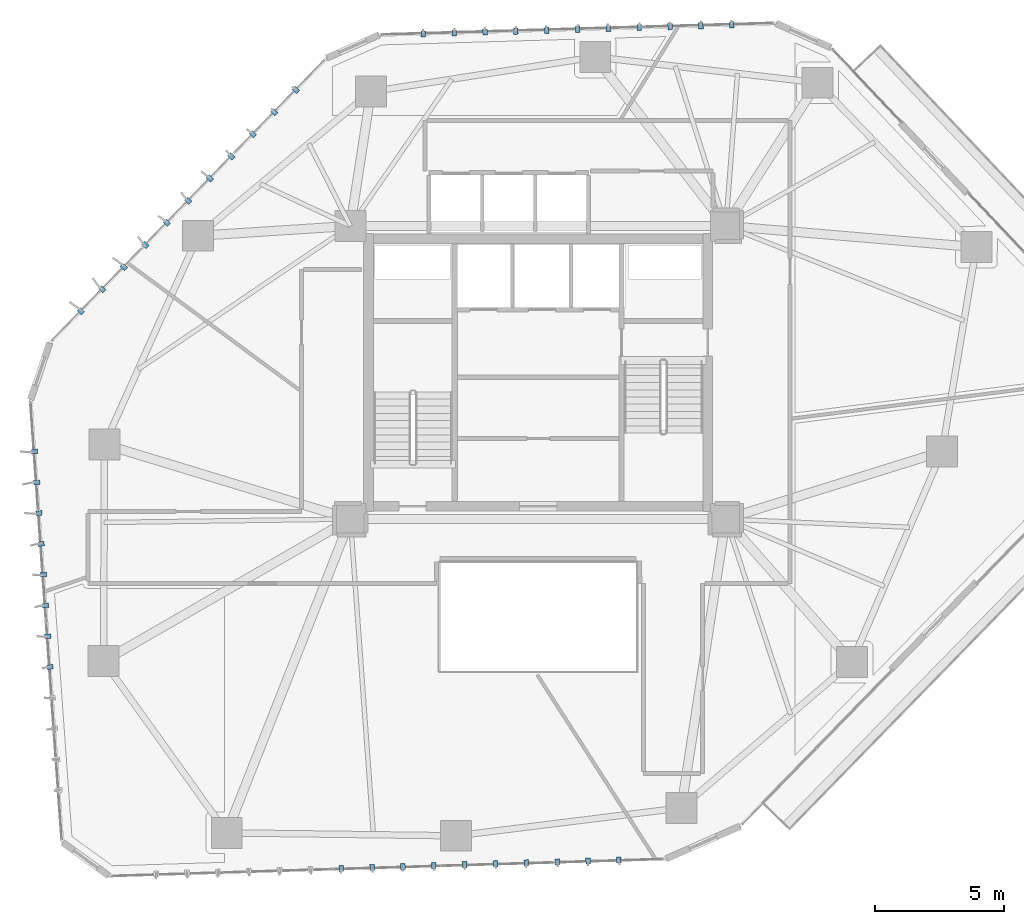
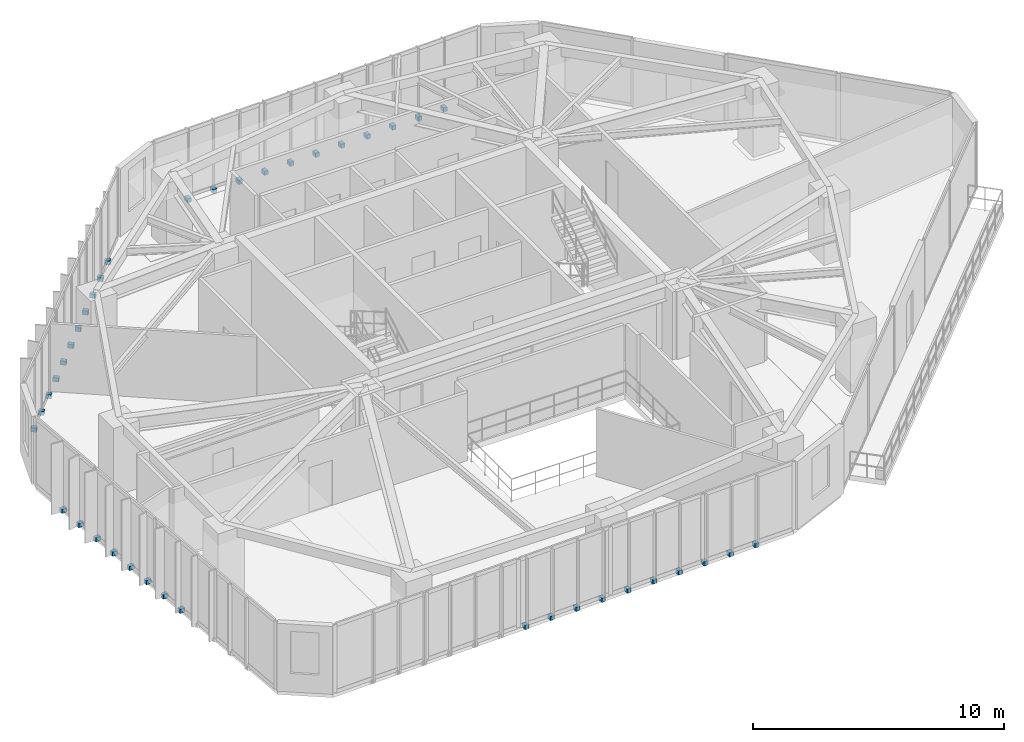
# One storey, part 20 of 23: 40 discrete accessories.
"""IFC4 building model written with IfcOpenShell, lengths in metres."""

from ifc_helpers import new_model, si_unit, direction, frame, origin, origin_2d, place, context, subcontext, project, spatial, rectangle, extrude, source, transform, mapped, material, type_object, type_shapes, element, save


model = new_model("IFC4")

# Units and contexts
model_context = context("Model", 3, precision=1e-05, world=origin(), true_north=direction((0.0, 1.0)))
body_context = subcontext(model_context, "Body", "Model", "MODEL_VIEW")
ifc_project = project(units=[si_unit("LENGTHUNIT", "METRE"), si_unit("AREAUNIT", "SQUARE_METRE"), si_unit("VOLUMEUNIT", "CUBIC_METRE"), si_unit("PLANEANGLEUNIT", "RADIAN"), si_unit("MASSUNIT", "GRAM", prefix="KILO")], contexts=[model_context])

# Site, building, storey
site_placement = place(None, origin())
site = spatial("IfcSite", under=ifc_project, at=site_placement, CompositionType="ELEMENT")
building_placement = place(site_placement, origin())
building = spatial("IfcBuilding", under=site, at=building_placement, Name="Talar Marvaseh", CompositionType="ELEMENT")
storey_placement = place(building_placement, frame((0.0, 0.0, 96.60009765625)))
storey = spatial("IfcBuildingStorey", under=building, at=storey_placement, Name="L24", CompositionType="ELEMENT", Elevation=96.60009765625)

# Discrete accessories
ifc_material = material(Name="Stainless Steel Grade 316", Category="steel")
discrete_accessory_type = type_object("IfcDiscreteAccessoryType", Name="Stainless Slab-Edge Fin Mounting Bracket", PredefinedType="BRACKET", material=ifc_material)
shared_shape = source(origin(), body_context, "Body", "SweptSolid", [
    extrude(rectangle(XDim=0.239990234375, YDim=0.179931640625, at=origin_2d()), origin(), (0.0, 0.0, 1.0), 0.199951171875),
])
type_shapes(discrete_accessory_type, [shared_shape])
for number, where, z_axis, x_axis, name in (
    (1, (7.017822265625, 19.74755859375, -0.18017578125), (0.0, 0.0, 1.0), (-0.997440782931, -0.071497444333, 0.0), "L24 Vertical Fin Slab-Edge Bracket"),
    (2, (6.93212890625, 20.9443359375, -0.18017578125), (0.0, 0.0, 1.0), (-0.997440782931, -0.071497444333, 0.0), "L24 Vertical Fin Slab-Edge Bracket"),
    (3, (6.84619140625, 22.141357421875, -0.18017578125), (0.0, 0.0, 1.0), (-0.997440782931, -0.071497444333, 0.0), "L24 Vertical Fin Slab-Edge Bracket"),
    (4, (6.760498046875, 23.33837890625, -0.18017578125), (0.0, 0.0, 1.0), (-0.997440782931, -0.071497444333, 0.0), "L24 Vertical Fin Slab-Edge Bracket"),
    (5, (6.6748046875, 24.53515625, -0.18017578125), (0.0, 0.0, 1.0), (-0.997440782931, -0.071497444333, 0.0), "L24 Vertical Fin Slab-Edge Bracket"),
    (6, (6.589111328125, 25.732177734375, -0.18017578125), (0.0, 0.0, 1.0), (-0.997440782931, -0.071497444333, 0.0), "L24 Vertical Fin Slab-Edge Bracket"),
    (7, (6.50341796875, 26.92919921875, -0.18017578125), (0.0, 0.0, 1.0), (-0.997440782931, -0.071497444333, 0.0), "L24 Vertical Fin Slab-Edge Bracket"),
    (8, (6.417724609375, 28.1259765625, -0.18017578125), (0.0, 0.0, 1.0), (-0.997440782931, -0.071497444333, 0.0), "L24 Vertical Fin Slab-Edge Bracket"),
    (9, (8.21533203125, 33.581298828125, -0.18017578125), (0.0, 0.0, 1.0), (-0.717153920498, 0.696914811375, 0.0), "L24 Vertical Fin Slab-Edge Bracket"),
    (10, (9.051513671875, 34.44189453125, -0.18017578125), (0.0, 0.0, 1.0), (-0.717153920498, 0.696914811375, 0.0), "L24 Vertical Fin Slab-Edge Bracket"),
    (11, (9.887939453125, 35.302490234375, -0.18017578125), (0.0, 0.0, 1.0), (-0.717153920498, 0.696914811375, 0.0), "L24 Vertical Fin Slab-Edge Bracket"),
    (12, (10.724365234375, 36.162841796875, -0.18017578125), (0.0, 0.0, 1.0), (-0.717153920498, 0.696914811375, 0.0), "L24 Vertical Fin Slab-Edge Bracket"),
    (13, (11.560546875, 37.0234375, -0.18017578125), (0.0, 0.0, 1.0), (-0.717153920498, 0.696914811375, 0.0), "L24 Vertical Fin Slab-Edge Bracket"),
    (14, (12.39697265625, 37.884033203125, -0.18017578125), (0.0, 0.0, 1.0), (-0.717153920498, 0.696914811375, 0.0), "L24 Vertical Fin Slab-Edge Bracket"),
    (15, (13.2333984375, 38.74462890625, -0.18017578125), (0.0, 0.0, 1.0), (-0.717153920498, 0.696914811375, 0.0), "L24 Vertical Fin Slab-Edge Bracket"),
    (16, (14.069580078125, 39.60498046875, -0.18017578125), (0.0, 0.0, 1.0), (-0.717153920498, 0.696914811375, 0.0), "L24 Vertical Fin Slab-Edge Bracket"),
    (17, (14.906005859375, 40.4658203125, -0.18017578125), (0.0, 0.0, 1.0), (-0.717153920498, 0.696914811375, 0.0), "L24 Vertical Fin Slab-Edge Bracket"),
    (18, (15.7421875, 41.326171875, -0.18017578125), (0.0, 0.0, 1.0), (-0.717153920498, 0.696914811375, 0.0), "L24 Vertical Fin Slab-Edge Bracket"),
    (19, (16.57861328125, 42.186767578125, -0.18017578125), (0.0, 0.0, 1.0), (-0.717153920498, 0.696914811375, 0.0), "L24 Vertical Fin Slab-Edge Bracket"),
    (20, (21.536865234375, 44.368408203125, -0.18017578125), (0.0, 0.0, 1.0), (-0.029317330072, 0.999570154695, 0.0), "L24 Vertical Fin Slab-Edge Bracket"),
    (21, (22.736083984375, 44.40380859375, -0.18017578125), (0.0, 0.0, 1.0), (-0.029317330072, 0.999570154695, 0.0), "L24 Vertical Fin Slab-Edge Bracket"),
    (22, (23.935791015625, 44.43896484375, -0.18017578125), (0.0, 0.0, 1.0), (-0.029317330072, 0.999570154695, 0.0), "L24 Vertical Fin Slab-Edge Bracket"),
    (23, (25.13525390625, 44.47412109375, -0.18017578125), (0.0, 0.0, 1.0), (-0.029317330072, 0.999570154695, 0.0), "L24 Vertical Fin Slab-Edge Bracket"),
    (24, (26.334716796875, 44.509521484375, -0.18017578125), (0.0, 0.0, 1.0), (-0.029317330072, 0.999570154695, 0.0), "L24 Vertical Fin Slab-Edge Bracket"),
    (25, (27.5341796875, 44.544677734375, -0.18017578125), (0.0, 0.0, 1.0), (-0.029317330072, 0.999570154695, 0.0), "L24 Vertical Fin Slab-Edge Bracket"),
    (26, (28.733642578125, 44.579833984375, -0.18017578125), (0.0, 0.0, 1.0), (-0.029317330072, 0.999570154695, 0.0), "L24 Vertical Fin Slab-Edge Bracket"),
    (27, (29.93310546875, 44.614990234375, -0.18017578125), (0.0, 0.0, 1.0), (-0.029317330072, 0.999570154695, 0.0), "L24 Vertical Fin Slab-Edge Bracket"),
    (28, (31.132568359375, 44.650390625, -0.18017578125), (0.0, 0.0, 1.0), (-0.029317330072, 0.999570154695, 0.0), "L24 Vertical Fin Slab-Edge Bracket"),
    (29, (32.33203125, 44.685546875, -0.18017578125), (0.0, 0.0, 1.0), (-0.029317330072, 0.999570154695, 0.0), "L24 Vertical Fin Slab-Edge Bracket"),
    (30, (33.531494140625, 44.720703125, -0.18017578125), (0.0, 0.0, 1.0), (-0.029317330072, 0.999570154695, 0.0), "L24 Vertical Fin Slab-Edge Bracket"),
    (31, (29.14111328125, 12.24267578125, -0.18017578125), (0.0, 0.0, 1.0), (0.030712964265, -0.999528245637, 0.0), "L24 Vertical Fin Slab-Edge Bracket"),
    (32, (27.941650390625, 12.205810546875, -0.18017578125), (0.0, 0.0, 1.0), (0.030712964265, -0.999528245637, 0.0), "L24 Vertical Fin Slab-Edge Bracket"),
    (33, (26.7421875, 12.1689453125, -0.18017578125), (0.0, 0.0, 1.0), (0.030712964265, -0.999528245637, 0.0), "L24 Vertical Fin Slab-Edge Bracket"),
    (34, (25.542724609375, 12.132080078125, -0.18017578125), (0.0, 0.0, 1.0), (0.030712964265, -0.999528245637, 0.0), "L24 Vertical Fin Slab-Edge Bracket"),
    (35, (24.34326171875, 12.09521484375, -0.18017578125), (0.0, 0.0, 1.0), (0.030712964265, -0.999528245637, 0.0), "L24 Vertical Fin Slab-Edge Bracket"),
    (36, (23.143798828125, 12.058349609375, -0.18017578125), (0.0, 0.0, 1.0), (0.030712964265, -0.999528245637, 0.0), "L24 Vertical Fin Slab-Edge Bracket"),
    (37, (21.944580078125, 12.021484375, -0.18017578125), (0.0, 0.0, 1.0), (0.030712964265, -0.999528245637, 0.0), "L24 Vertical Fin Slab-Edge Bracket"),
    (38, (20.7451171875, 11.98486328125, -0.18017578125), (0.0, 0.0, 1.0), (0.030712964265, -0.999528245637, 0.0), "L24 Vertical Fin Slab-Edge Bracket"),
    (39, (19.545654296875, 11.947998046875, -0.18017578125), (0.0, 0.0, 1.0), (0.030712964265, -0.999528245637, 0.0), "L24 Vertical Fin Slab-Edge Bracket"),
    (40, (18.34619140625, 11.9111328125, -0.18017578125), (0.0, 0.0, 1.0), (0.030712964265, -0.999528245637, 0.0), "L24 Vertical Fin Slab-Edge Bracket"),
):
    element("IfcDiscreteAccessory", number, at=place(storey_placement, frame(where, z_axis=z_axis, x_axis=x_axis)), inside=storey, type_object=discrete_accessory_type, Name=name, PredefinedType="BRACKET", context=body_context, shape_type="MappedRepresentation", body=[
        mapped(shared_shape, transform((0.0, 0.0, 0.0), x_axis=(1.0, 0.0, 0.0), y_axis=(0.0, 1.0, 0.0), z_axis=(0.0, 0.0, 1.0), scale=1.0)),
    ])

save(model, "model.ifc")
